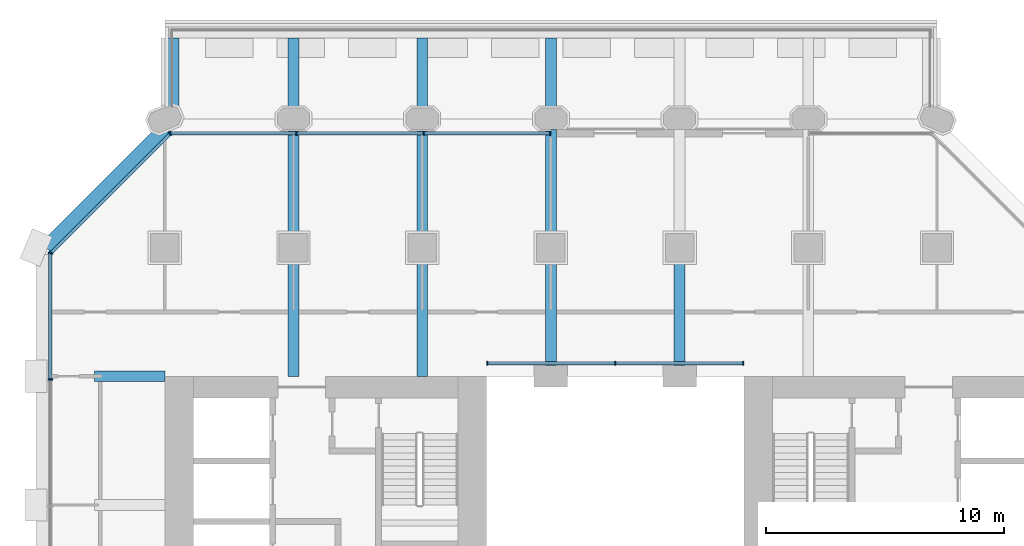
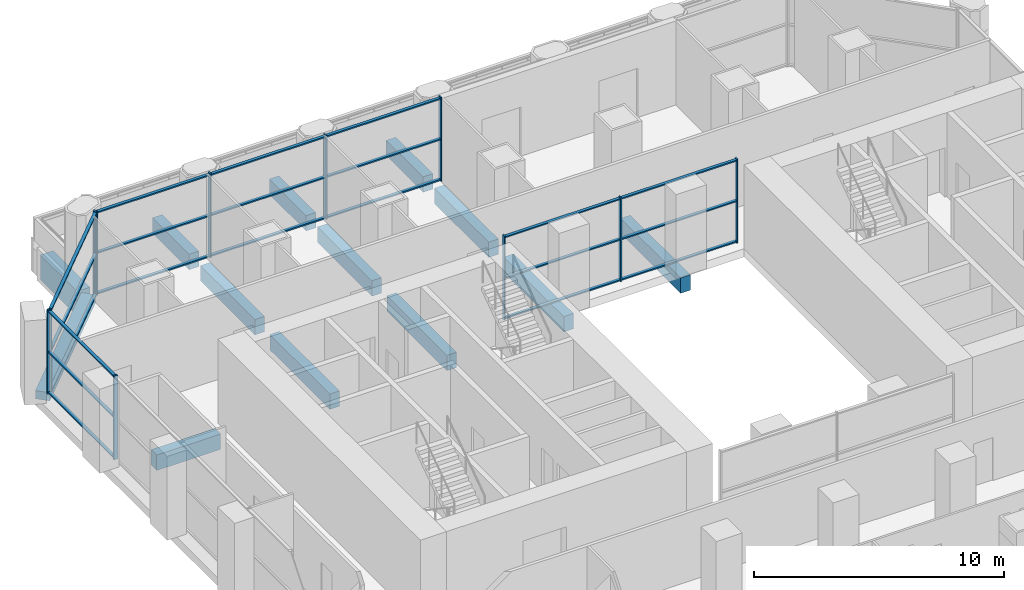
# One storey, part 7 of 23: 32 members, 13 beams, 4 elements without a shape of their own.
"""IFC4 building model written with IfcOpenShell, lengths in metres."""

from ifc_helpers import new_model, si_unit, direction, frame, origin, origin_2d, place, context, subcontext, project, spatial, rectangle, extrude, material, material_profile, profile_set, type_object, element, aggregate, save


model = new_model("IFC4")

# Units and contexts
model_context = context("Model", 3, precision=1e-05, world=origin(), true_north=direction((0.0, 1.0)))
body_context = subcontext(model_context, "Body", "Model", "MODEL_VIEW")
ifc_project = project(units=[si_unit("LENGTHUNIT", "METRE"), si_unit("AREAUNIT", "SQUARE_METRE"), si_unit("VOLUMEUNIT", "CUBIC_METRE"), si_unit("PLANEANGLEUNIT", "RADIAN"), si_unit("MASSUNIT", "GRAM", prefix="KILO")], contexts=[model_context])

# Site, building, storey
site_placement = place(None, origin())
site = spatial("IfcSite", under=ifc_project, at=site_placement, CompositionType="ELEMENT")
building_placement = place(site_placement, origin())
building = spatial("IfcBuilding", under=site, at=building_placement, Name="Tabaq Tower and Sports Hall", CompositionType="ELEMENT")
storey_placement = place(building_placement, frame((0.0, 0.0, 24.60009765625)))
storey = spatial("IfcBuildingStorey", under=building, at=storey_placement, Name="L04", CompositionType="ELEMENT", Elevation=24.60009765625)

# Curtain wall, members
ifc_material_1 = material(Name="Aluminium alloy 6063-T6 framed glazing", Category="aluminium")
curtain_wall_type_1 = type_object("IfcCurtainWallType", Name="CW1 curtain wall", PredefinedType="USERDEFINED", material=ifc_material_1)
curtain_wall_1_placement = place(storey_placement, origin())
curtain_wall_1 = element("IfcCurtainWall", 1, at=curtain_wall_1_placement, inside=storey, type_object=curtain_wall_type_1, Name="Atrium glazing L04 N", ObjectType="ATRIUM ENCLOSURE", PredefinedType="USERDEFINED")
ifc_material_2 = material(Name="Aluminium alloy 6063-T6", Category="aluminium")
ifc_material_profile_1 = material_profile(ifc_material_2, rectangle(XDim=0.159912109375, YDim=0.06005859375, at=origin_2d()), Name="MULLION 160x60")
ifc_profile_set_1 = profile_set([ifc_material_profile_1], Name="Aluminium alloy 6063-T6")
member_type_1 = type_object("IfcMemberType", Name="CW1 mullion 160x60", PredefinedType="MULLION", material=ifc_profile_set_1)
member_1_placement = place(storey_placement, frame((18.929931640625, 32.949951171875, 0.0), z_axis=(0.0, 0.0, 1.0), x_axis=(0.0, 1.0, 0.0)))
member_1 = element("IfcMember", 2, at=member_1_placement, type_object=member_type_1, Name="CW1 mullion 1", PredefinedType="MULLION", context=body_context, shape_type="SweptSolid", body=[
    extrude(rectangle(XDim=0.159912109375, YDim=0.06005859375, at=origin_2d()), origin(), (0.0, 0.0, 1.0), 4.099853515625),
])
member_2_placement = place(storey_placement, frame((24.300048828125, 32.949951171875, 0.0), z_axis=(0.0, 0.0, 1.0), x_axis=(0.0, 1.0, 0.0)))
member_2 = element("IfcMember", 3, at=member_2_placement, type_object=member_type_1, Name="CW1 mullion 2", PredefinedType="MULLION", context=body_context, shape_type="SweptSolid", body=[
    extrude(rectangle(XDim=0.159912109375, YDim=0.06005859375, at=origin_2d()), origin(), (0.0, 0.0, 1.0), 4.099853515625),
])
member_3_placement = place(storey_placement, frame((29.669921875, 32.949951171875, 0.0), z_axis=(0.0, 0.0, 1.0), x_axis=(0.0, 1.0, 0.0)))
member_3 = element("IfcMember", 4, at=member_3_placement, type_object=member_type_1, Name="CW1 mullion 3", PredefinedType="MULLION", context=body_context, shape_type="SweptSolid", body=[
    extrude(rectangle(XDim=0.159912109375, YDim=0.06005859375, at=origin_2d()), origin(), (0.0, 0.0, 1.0), 4.099853515625),
])
ifc_material_3 = material(Name="Aluminium alloy 6063-T6", Category="aluminium")
ifc_material_profile_2 = material_profile(ifc_material_3, rectangle(XDim=0.139892578125, YDim=0.06005859375, at=origin_2d()), Name="TRANSOM 140x60")
ifc_profile_set_2 = profile_set([ifc_material_profile_2], Name="Aluminium alloy 6063-T6")
member_type_2 = type_object("IfcMemberType", Name="CW1 transom 140x60", PredefinedType="USERDEFINED", material=ifc_profile_set_2)
member_4_placement = place(storey_placement, frame((18.9599609375, 32.949951171875, 0.06982421875), z_axis=(1.0, 0.0, 0.0), x_axis=(0.0, 1.0, 0.0)))
member_4 = element("IfcMember", 5, at=member_4_placement, type_object=member_type_2, Name="CW1 transom 1.1", ObjectType="TRANSOM", PredefinedType="USERDEFINED", context=body_context, shape_type="SweptSolid", body=[
    extrude(rectangle(XDim=0.139892578125, YDim=0.06005859375, at=origin_2d()), origin(), (0.0, 0.0, 1.0), 5.31005859375),
])
member_5_placement = place(storey_placement, frame((18.9599609375, 32.949951171875, 2.0498046875), z_axis=(1.0, 0.0, 0.0), x_axis=(0.0, 1.0, 0.0)))
member_5 = element("IfcMember", 6, at=member_5_placement, type_object=member_type_2, Name="CW1 transom 1.2", ObjectType="TRANSOM", PredefinedType="USERDEFINED", context=body_context, shape_type="SweptSolid", body=[
    extrude(rectangle(XDim=0.139892578125, YDim=0.06005859375, at=origin_2d()), origin(), (0.0, 0.0, 1.0), 5.31005859375),
])
member_6_placement = place(storey_placement, frame((18.9599609375, 32.949951171875, 4.02978515625), z_axis=(1.0, 0.0, 0.0), x_axis=(0.0, 1.0, 0.0)))
member_6 = element("IfcMember", 7, at=member_6_placement, type_object=member_type_2, Name="CW1 transom 1.3", ObjectType="TRANSOM", PredefinedType="USERDEFINED", context=body_context, shape_type="SweptSolid", body=[
    extrude(rectangle(XDim=0.139892578125, YDim=0.06005859375, at=origin_2d()), origin(), (0.0, 0.0, 1.0), 5.31005859375),
])
member_7_placement = place(storey_placement, frame((24.330078125, 32.949951171875, 0.06982421875), z_axis=(1.0, 0.0, 0.0), x_axis=(0.0, 1.0, 0.0)))
member_7 = element("IfcMember", 8, at=member_7_placement, type_object=member_type_2, Name="CW1 transom 2.1", ObjectType="TRANSOM", PredefinedType="USERDEFINED", context=body_context, shape_type="SweptSolid", body=[
    extrude(rectangle(XDim=0.139892578125, YDim=0.06005859375, at=origin_2d()), origin(), (0.0, 0.0, 1.0), 5.309814453125),
])
member_8_placement = place(storey_placement, frame((24.330078125, 32.949951171875, 2.0498046875), z_axis=(1.0, 0.0, 0.0), x_axis=(0.0, 1.0, 0.0)))
member_8 = element("IfcMember", 9, at=member_8_placement, type_object=member_type_2, Name="CW1 transom 2.2", ObjectType="TRANSOM", PredefinedType="USERDEFINED", context=body_context, shape_type="SweptSolid", body=[
    extrude(rectangle(XDim=0.139892578125, YDim=0.06005859375, at=origin_2d()), origin(), (0.0, 0.0, 1.0), 5.309814453125),
])
member_9_placement = place(storey_placement, frame((24.330078125, 32.949951171875, 4.02978515625), z_axis=(1.0, 0.0, 0.0), x_axis=(0.0, 1.0, 0.0)))
member_9 = element("IfcMember", 10, at=member_9_placement, type_object=member_type_2, Name="CW1 transom 2.3", ObjectType="TRANSOM", PredefinedType="USERDEFINED", context=body_context, shape_type="SweptSolid", body=[
    extrude(rectangle(XDim=0.139892578125, YDim=0.06005859375, at=origin_2d()), origin(), (0.0, 0.0, 1.0), 5.309814453125),
])
aggregate(curtain_wall_1, [member_1, member_2, member_3, member_4, member_5, member_6, member_7, member_8, member_9])

ifc_material_4 = material(Name="Aluminium alloy 6063-T6 framed glazing", Category="aluminium")
curtain_wall_type_2 = type_object("IfcCurtainWallType", Name="CW7 curtain wall", PredefinedType="USERDEFINED", material=ifc_material_4)
curtain_wall_2_placement = place(storey_placement, origin())
curtain_wall_2 = element("IfcCurtainWall", 11, at=curtain_wall_2_placement, inside=storey, type_object=curtain_wall_type_2, Name="Podium Wall L04 N", ObjectType="PODIUM WALL", PredefinedType="USERDEFINED")
ifc_material_5 = material(Name="Aluminium alloy 6063-T6", Category="aluminium")
ifc_material_profile_3 = material_profile(ifc_material_5, rectangle(XDim=0.179931640625, YDim=0.06494140625, at=origin_2d()), Name="MULLION 180x65")
ifc_profile_set_3 = profile_set([ifc_material_profile_3], Name="Aluminium alloy 6063-T6")
member_type_3 = type_object("IfcMemberType", Name="CW7 mullion 180x65", PredefinedType="MULLION", material=ifc_profile_set_3)
member_10_placement = place(storey_placement, frame((21.5673828125, 42.60009765625, 0.0), z_axis=(0.0, 0.0, 1.0), x_axis=(0.0, -1.0, 0.0)))
member_10 = element("IfcMember", 12, at=member_10_placement, type_object=member_type_3, Name="CW7 mullion 1", PredefinedType="MULLION", context=body_context, shape_type="SweptSolid", body=[
    extrude(rectangle(XDim=0.179931640625, YDim=0.06494140625, at=origin_2d()), origin(), (0.0, 0.0, 1.0), 4.099853515625),
])
member_11_placement = place(storey_placement, frame((16.26220703125, 42.60009765625, 0.0), z_axis=(0.0, 0.0, 1.0), x_axis=(0.0, -1.0, 0.0)))
member_11 = element("IfcMember", 13, at=member_11_placement, type_object=member_type_3, Name="CW7 mullion 2", PredefinedType="MULLION", context=body_context, shape_type="SweptSolid", body=[
    extrude(rectangle(XDim=0.179931640625, YDim=0.06494140625, at=origin_2d()), origin(), (0.0, 0.0, 1.0), 4.099853515625),
])
member_12_placement = place(storey_placement, frame((10.92431640625, 42.60009765625, 0.0), z_axis=(0.0, 0.0, 1.0), x_axis=(0.0, -1.0, 0.0)))
member_12 = element("IfcMember", 14, at=member_12_placement, type_object=member_type_3, Name="CW7 mullion 3", PredefinedType="MULLION", context=body_context, shape_type="SweptSolid", body=[
    extrude(rectangle(XDim=0.179931640625, YDim=0.06494140625, at=origin_2d()), origin(), (0.0, 0.0, 1.0), 4.099853515625),
])
member_13_placement = place(storey_placement, frame((5.618896484375, 42.60009765625, 0.0), z_axis=(0.0, 0.0, 1.0), x_axis=(0.0, -1.0, 0.0)))
member_13 = element("IfcMember", 15, at=member_13_placement, type_object=member_type_3, Name="CW7 mullion 4", PredefinedType="MULLION", context=body_context, shape_type="SweptSolid", body=[
    extrude(rectangle(XDim=0.179931640625, YDim=0.06494140625, at=origin_2d()), origin(), (0.0, 0.0, 1.0), 4.099853515625),
])

curtain_wall_3_placement = place(storey_placement, origin())
curtain_wall_3 = element("IfcCurtainWall", 16, at=curtain_wall_3_placement, inside=storey, type_object=curtain_wall_type_2, Name="Podium Wall L04 NW", ObjectType="PODIUM WALL", PredefinedType="USERDEFINED")
member_14_placement = place(storey_placement, frame((5.62548828125, 42.576904296875, 0.0), z_axis=(0.0, 0.0, 1.0), x_axis=(0.707106781187, -0.707106781187, 0.0)))
member_14 = element("IfcMember", 17, at=member_14_placement, type_object=member_type_3, Name="CW7 mullion 1", PredefinedType="MULLION", context=body_context, shape_type="SweptSolid", body=[
    extrude(rectangle(XDim=0.179931640625, YDim=0.06494140625, at=origin_2d()), origin(), (0.0, 0.0, 1.0), 4.099853515625),
])
member_15_placement = place(storey_placement, frame((0.623046875, 37.574462890625, 0.0), z_axis=(0.0, 0.0, 1.0), x_axis=(0.707106781187, -0.707106781187, 0.0)))
member_15 = element("IfcMember", 18, at=member_15_placement, type_object=member_type_3, Name="CW7 mullion 2", PredefinedType="MULLION", context=body_context, shape_type="SweptSolid", body=[
    extrude(rectangle(XDim=0.179931640625, YDim=0.06494140625, at=origin_2d()), origin(), (0.0, 0.0, 1.0), 4.099853515625),
])

curtain_wall_4_placement = place(storey_placement, origin())
curtain_wall_4 = element("IfcCurtainWall", 19, at=curtain_wall_4_placement, inside=storey, type_object=curtain_wall_type_2, Name="Podium Wall L04 W", ObjectType="PODIUM WALL", PredefinedType="USERDEFINED")
member_16_placement = place(storey_placement, frame((0.60009765625, 37.5810546875, 0.0), z_axis=(0.0, 0.0, 1.0), x_axis=(1.0, 0.0, 0.0)))
member_16 = element("IfcMember", 20, at=member_16_placement, type_object=member_type_3, Name="CW7 mullion 1", PredefinedType="MULLION", context=body_context, shape_type="SweptSolid", body=[
    extrude(rectangle(XDim=0.179931640625, YDim=0.06494140625, at=origin_2d()), origin(), (0.0, 0.0, 1.0), 4.099853515625),
])
member_17_placement = place(storey_placement, frame((0.60009765625, 32.275634765625, 0.0), z_axis=(0.0, 0.0, 1.0), x_axis=(1.0, 0.0, 0.0)))
member_17 = element("IfcMember", 21, at=member_17_placement, type_object=member_type_3, Name="CW7 mullion 2", PredefinedType="MULLION", context=body_context, shape_type="SweptSolid", body=[
    extrude(rectangle(XDim=0.179931640625, YDim=0.06494140625, at=origin_2d()), origin(), (0.0, 0.0, 1.0), 4.099853515625),
])

# Member
ifc_material_6 = material(Name="Aluminium alloy 6063-T6", Category="aluminium")
ifc_material_profile_4 = material_profile(ifc_material_6, rectangle(XDim=0.139892578125, YDim=0.06494140625, at=origin_2d()), Name="TRANSOM 140x65")
ifc_profile_set_4 = profile_set([ifc_material_profile_4], Name="Aluminium alloy 6063-T6")
member_type_4 = type_object("IfcMemberType", Name="CW7 transom 140x65", PredefinedType="USERDEFINED", material=ifc_profile_set_4)
member_18_placement = place(storey_placement, frame((21.534912109375, 42.60009765625, 0.06982421875), z_axis=(-1.0, 0.0, 0.0), x_axis=(0.0, -1.0, 0.0)))
member_18 = element("IfcMember", 22, at=member_18_placement, type_object=member_type_4, Name="CW7 transom 1.1", ObjectType="TRANSOM", PredefinedType="USERDEFINED", context=body_context, shape_type="SweptSolid", body=[
    extrude(rectangle(XDim=0.139892578125, YDim=0.06494140625, at=origin_2d()), origin(), (0.0, 0.0, 1.0), 5.240234375),
])

member_19_placement = place(storey_placement, frame((21.534912109375, 42.60009765625, 2.0498046875), z_axis=(-1.0, 0.0, 0.0), x_axis=(0.0, -1.0, 0.0)))
member_19 = element("IfcMember", 23, at=member_19_placement, type_object=member_type_4, Name="CW7 transom 1.2", ObjectType="TRANSOM", PredefinedType="USERDEFINED", context=body_context, shape_type="SweptSolid", body=[
    extrude(rectangle(XDim=0.139892578125, YDim=0.06494140625, at=origin_2d()), origin(), (0.0, 0.0, 1.0), 5.240234375),
])

member_20_placement = place(storey_placement, frame((21.534912109375, 42.60009765625, 4.02978515625), z_axis=(-1.0, 0.0, 0.0), x_axis=(0.0, -1.0, 0.0)))
member_20 = element("IfcMember", 24, at=member_20_placement, type_object=member_type_4, Name="CW7 transom 1.3", ObjectType="TRANSOM", PredefinedType="USERDEFINED", context=body_context, shape_type="SweptSolid", body=[
    extrude(rectangle(XDim=0.139892578125, YDim=0.06494140625, at=origin_2d()), origin(), (0.0, 0.0, 1.0), 5.240234375),
])

member_21_placement = place(storey_placement, frame((16.229736328125, 42.60009765625, 0.06982421875), z_axis=(-1.0, 0.0, 0.0), x_axis=(0.0, -1.0, 0.0)))
member_21 = element("IfcMember", 25, at=member_21_placement, type_object=member_type_4, Name="CW7 transom 2.1", ObjectType="TRANSOM", PredefinedType="USERDEFINED", context=body_context, shape_type="SweptSolid", body=[
    extrude(rectangle(XDim=0.139892578125, YDim=0.06494140625, at=origin_2d()), origin(), (0.0, 0.0, 1.0), 5.27294921875),
])

member_22_placement = place(storey_placement, frame((16.229736328125, 42.60009765625, 2.0498046875), z_axis=(-1.0, 0.0, 0.0), x_axis=(0.0, -1.0, 0.0)))
member_22 = element("IfcMember", 26, at=member_22_placement, type_object=member_type_4, Name="CW7 transom 2.2", ObjectType="TRANSOM", PredefinedType="USERDEFINED", context=body_context, shape_type="SweptSolid", body=[
    extrude(rectangle(XDim=0.139892578125, YDim=0.06494140625, at=origin_2d()), origin(), (0.0, 0.0, 1.0), 5.27294921875),
])

member_23_placement = place(storey_placement, frame((16.229736328125, 42.60009765625, 4.02978515625), z_axis=(-1.0, 0.0, 0.0), x_axis=(0.0, -1.0, 0.0)))
member_23 = element("IfcMember", 27, at=member_23_placement, type_object=member_type_4, Name="CW7 transom 2.3", ObjectType="TRANSOM", PredefinedType="USERDEFINED", context=body_context, shape_type="SweptSolid", body=[
    extrude(rectangle(XDim=0.139892578125, YDim=0.06494140625, at=origin_2d()), origin(), (0.0, 0.0, 1.0), 5.27294921875),
])

member_24_placement = place(storey_placement, frame((10.891845703125, 42.60009765625, 0.06982421875), z_axis=(-1.0, 0.0, 0.0), x_axis=(0.0, -1.0, 0.0)))
member_24 = element("IfcMember", 28, at=member_24_placement, type_object=member_type_4, Name="CW7 transom 3.1", ObjectType="TRANSOM", PredefinedType="USERDEFINED", context=body_context, shape_type="SweptSolid", body=[
    extrude(rectangle(XDim=0.139892578125, YDim=0.06494140625, at=origin_2d()), origin(), (0.0, 0.0, 1.0), 5.240478515625),
])

member_25_placement = place(storey_placement, frame((10.891845703125, 42.60009765625, 2.0498046875), z_axis=(-1.0, 0.0, 0.0), x_axis=(0.0, -1.0, 0.0)))
member_25 = element("IfcMember", 29, at=member_25_placement, type_object=member_type_4, Name="CW7 transom 3.2", ObjectType="TRANSOM", PredefinedType="USERDEFINED", context=body_context, shape_type="SweptSolid", body=[
    extrude(rectangle(XDim=0.139892578125, YDim=0.06494140625, at=origin_2d()), origin(), (0.0, 0.0, 1.0), 5.240478515625),
])

member_26_placement = place(storey_placement, frame((10.891845703125, 42.60009765625, 4.02978515625), z_axis=(-1.0, 0.0, 0.0), x_axis=(0.0, -1.0, 0.0)))
member_26 = element("IfcMember", 30, at=member_26_placement, type_object=member_type_4, Name="CW7 transom 3.3", ObjectType="TRANSOM", PredefinedType="USERDEFINED", context=body_context, shape_type="SweptSolid", body=[
    extrude(rectangle(XDim=0.139892578125, YDim=0.06494140625, at=origin_2d()), origin(), (0.0, 0.0, 1.0), 5.240478515625),
])

aggregate(curtain_wall_2, [member_10, member_11, member_12, member_13, member_18, member_19, member_20, member_21, member_22, member_23, member_24, member_25, member_26])

member_27_placement = place(storey_placement, frame((5.6025390625, 42.553955078125, 0.06982421875), z_axis=(-0.707106781187, -0.707106781187, 0.0), x_axis=(0.707106781187, -0.707106781187, 0.0)))
member_27 = element("IfcMember", 31, at=member_27_placement, type_object=member_type_4, Name="CW7 transom 1.1", ObjectType="TRANSOM", PredefinedType="USERDEFINED", context=body_context, shape_type="SweptSolid", body=[
    extrude(rectangle(XDim=0.139892578125, YDim=0.06494140625, at=origin_2d()), origin(), (0.0, 0.0, 1.0), 7.009521484375),
])

member_28_placement = place(storey_placement, frame((5.6025390625, 42.553955078125, 2.0498046875), z_axis=(-0.707106781187, -0.707106781187, 0.0), x_axis=(0.707106781187, -0.707106781187, 0.0)))
member_28 = element("IfcMember", 32, at=member_28_placement, type_object=member_type_4, Name="CW7 transom 1.2", ObjectType="TRANSOM", PredefinedType="USERDEFINED", context=body_context, shape_type="SweptSolid", body=[
    extrude(rectangle(XDim=0.139892578125, YDim=0.06494140625, at=origin_2d()), origin(), (0.0, 0.0, 1.0), 7.009521484375),
])

member_29_placement = place(storey_placement, frame((5.6025390625, 42.553955078125, 4.02978515625), z_axis=(-0.707106781187, -0.707106781187, 0.0), x_axis=(0.707106781187, -0.707106781187, 0.0)))
member_29 = element("IfcMember", 33, at=member_29_placement, type_object=member_type_4, Name="CW7 transom 1.3", ObjectType="TRANSOM", PredefinedType="USERDEFINED", context=body_context, shape_type="SweptSolid", body=[
    extrude(rectangle(XDim=0.139892578125, YDim=0.06494140625, at=origin_2d()), origin(), (0.0, 0.0, 1.0), 7.009521484375),
])

aggregate(curtain_wall_3, [member_14, member_15, member_27, member_28, member_29])

member_30_placement = place(storey_placement, frame((0.60009765625, 37.548583984375, 0.06982421875), z_axis=(0.0, -1.0, 0.0), x_axis=(1.0, 0.0, 0.0)))
member_30 = element("IfcMember", 34, at=member_30_placement, type_object=member_type_4, Name="CW7 transom 1.1", ObjectType="TRANSOM", PredefinedType="USERDEFINED", context=body_context, shape_type="SweptSolid", body=[
    extrude(rectangle(XDim=0.139892578125, YDim=0.06494140625, at=origin_2d()), origin(), (0.0, 0.0, 1.0), 5.240234375),
])

member_31_placement = place(storey_placement, frame((0.60009765625, 37.548583984375, 2.0498046875), z_axis=(0.0, -1.0, 0.0), x_axis=(1.0, 0.0, 0.0)))
member_31 = element("IfcMember", 35, at=member_31_placement, type_object=member_type_4, Name="CW7 transom 1.2", ObjectType="TRANSOM", PredefinedType="USERDEFINED", context=body_context, shape_type="SweptSolid", body=[
    extrude(rectangle(XDim=0.139892578125, YDim=0.06494140625, at=origin_2d()), origin(), (0.0, 0.0, 1.0), 5.240234375),
])

member_32_placement = place(storey_placement, frame((0.60009765625, 37.548583984375, 4.02978515625), z_axis=(0.0, -1.0, 0.0), x_axis=(1.0, 0.0, 0.0)))
member_32 = element("IfcMember", 36, at=member_32_placement, type_object=member_type_4, Name="CW7 transom 1.3", ObjectType="TRANSOM", PredefinedType="USERDEFINED", context=body_context, shape_type="SweptSolid", body=[
    extrude(rectangle(XDim=0.139892578125, YDim=0.06494140625, at=origin_2d()), origin(), (0.0, 0.0, 1.0), 5.240234375),
])

aggregate(curtain_wall_4, [member_16, member_17, member_30, member_31, member_32])

# Beams
ifc_material_7 = material(Name="Concrete C40/50", Category="concrete")
ifc_material_profile_5 = material_profile(ifc_material_7, rectangle(XDim=0.60009765625, YDim=1.199951171875, at=origin_2d()), Name="EBT 600x1200")
ifc_profile_set_5 = profile_set([ifc_material_profile_5], Name="Concrete C40/50")
beam_type_1 = type_object("IfcBeamType", Name="Concrete C40/50 PT edge band EBT 600x1200", PredefinedType="BEAM", material=ifc_profile_set_5)
beam_1_placement = place(storey_placement, frame((5.699951171875, 43.64990234375, -1.0), z_axis=(0.0, 1.0, 0.0), x_axis=(-1.0, 0.0, 0.0)))
element("IfcBeam", 37, at=beam_1_placement, inside=storey, type_object=beam_type_1, Name="Tray edge band L04", PredefinedType="BEAM", context=body_context, shape_type="SweptSolid", body=[
    extrude(rectangle(XDim=0.60009765625, YDim=1.199951171875, at=origin_2d()), origin(), (0.0, 0.0, 1.0), 2.9501953125),
])
ifc_material_8 = material(Name="Concrete C40/50", Category="concrete")
ifc_material_profile_6 = material_profile(ifc_material_8, rectangle(XDim=0.449951171875, YDim=0.75, at=origin_2d()), Name="CB 450x750")
ifc_profile_set_6 = profile_set([ifc_material_profile_6], Name="Concrete C40/50")
beam_type_2 = type_object("IfcBeamType", Name="PT CANTILEVER BEAM CB 450x750 C40/50", PredefinedType="BEAM", material=ifc_profile_set_6)
beam_2_placement = place(storey_placement, frame((2.449951171875, 32.39990234375, -0.775146484375), z_axis=(1.0, 0.0, 0.0), x_axis=(0.0, 1.0, 0.0)))
element("IfcBeam", 38, at=beam_2_placement, inside=storey, type_object=beam_type_2, Name="Cantilever Beam L04 W6 span 1", PredefinedType="BEAM", context=body_context, shape_type="SweptSolid", body=[
    extrude(rectangle(XDim=0.449951171875, YDim=0.75, at=origin_2d()), origin(), (0.0, 0.0, 1.0), 2.949951171875),
])
beam_3_placement = place(storey_placement, frame((27.0, 37.199951171875, -0.775146484375), z_axis=(0.0, -1.0, 0.0), x_axis=(1.0, 0.0, 0.0)))
element("IfcBeam", 39, at=beam_3_placement, inside=storey, type_object=beam_type_2, Name="Tray Cantilever Beam L04 T2 span 3", PredefinedType="BEAM", context=body_context, shape_type="SweptSolid", body=[
    extrude(rectangle(XDim=0.449951171875, YDim=0.75, at=origin_2d()), origin(), (0.0, 0.0, 1.0), 4.800048828125),
])
beam_4_placement = place(storey_placement, frame((21.60009765625, 46.60009765625, -0.775146484375), z_axis=(0.0, -1.0, 0.0), x_axis=(1.0, 0.0, 0.0)))
element("IfcBeam", 40, at=beam_4_placement, inside=storey, type_object=beam_type_2, Name="Tray Cantilever Beam L04 T3 span 1", PredefinedType="BEAM", context=body_context, shape_type="SweptSolid", body=[
    extrude(rectangle(XDim=0.449951171875, YDim=0.75, at=origin_2d()), origin(), (0.0, 0.0, 1.0), 2.9501953125),
])
beam_5_placement = place(storey_placement, frame((21.60009765625, 42.75, -0.775146484375), z_axis=(0.0, -1.0, 0.0), x_axis=(1.0, 0.0, 0.0)))
element("IfcBeam", 41, at=beam_5_placement, inside=storey, type_object=beam_type_2, Name="Tray Cantilever Beam L04 T3 span 2", PredefinedType="BEAM", context=body_context, shape_type="SweptSolid", body=[
    extrude(rectangle(XDim=0.449951171875, YDim=0.75, at=origin_2d()), origin(), (0.0, 0.0, 1.0), 4.35009765625),
])
beam_6_placement = place(storey_placement, frame((21.60009765625, 37.199951171875, -0.775146484375), z_axis=(0.0, -1.0, 0.0), x_axis=(1.0, 0.0, 0.0)))
element("IfcBeam", 42, at=beam_6_placement, inside=storey, type_object=beam_type_2, Name="Tray Cantilever Beam L04 T3 span 3", PredefinedType="BEAM", context=body_context, shape_type="SweptSolid", body=[
    extrude(rectangle(XDim=0.449951171875, YDim=0.75, at=origin_2d()), origin(), (0.0, 0.0, 1.0), 4.800048828125),
])
beam_7_placement = place(storey_placement, frame((16.199951171875, 46.60009765625, -0.775146484375), z_axis=(0.0, -1.0, 0.0), x_axis=(1.0, 0.0, 0.0)))
element("IfcBeam", 43, at=beam_7_placement, inside=storey, type_object=beam_type_2, Name="Tray Cantilever Beam L04 T4 span 1", PredefinedType="BEAM", context=body_context, shape_type="SweptSolid", body=[
    extrude(rectangle(XDim=0.449951171875, YDim=0.75, at=origin_2d()), origin(), (0.0, 0.0, 1.0), 2.9501953125),
])
beam_8_placement = place(storey_placement, frame((16.199951171875, 42.75, -0.775146484375), z_axis=(0.0, -1.0, 0.0), x_axis=(1.0, 0.0, 0.0)))
element("IfcBeam", 44, at=beam_8_placement, inside=storey, type_object=beam_type_2, Name="Tray Cantilever Beam L04 T4 span 2", PredefinedType="BEAM", context=body_context, shape_type="SweptSolid", body=[
    extrude(rectangle(XDim=0.449951171875, YDim=0.75, at=origin_2d()), origin(), (0.0, 0.0, 1.0), 4.35009765625),
])
beam_9_placement = place(storey_placement, frame((16.199951171875, 37.199951171875, -0.775146484375), z_axis=(0.0, -1.0, 0.0), x_axis=(1.0, 0.0, 0.0)))
element("IfcBeam", 45, at=beam_9_placement, inside=storey, type_object=beam_type_2, Name="Tray Cantilever Beam L04 T4 span 3", PredefinedType="BEAM", context=body_context, shape_type="SweptSolid", body=[
    extrude(rectangle(XDim=0.449951171875, YDim=0.75, at=origin_2d()), origin(), (0.0, 0.0, 1.0), 4.800048828125),
])
beam_10_placement = place(storey_placement, frame((10.800048828125, 46.60009765625, -0.775146484375), z_axis=(0.0, -1.0, 0.0), x_axis=(1.0, 0.0, 0.0)))
element("IfcBeam", 46, at=beam_10_placement, inside=storey, type_object=beam_type_2, Name="Tray Cantilever Beam L04 T5 span 1", PredefinedType="BEAM", context=body_context, shape_type="SweptSolid", body=[
    extrude(rectangle(XDim=0.449951171875, YDim=0.75, at=origin_2d()), origin(), (0.0, 0.0, 1.0), 2.9501953125),
])
beam_11_placement = place(storey_placement, frame((10.800048828125, 42.75, -0.775146484375), z_axis=(0.0, -1.0, 0.0), x_axis=(1.0, 0.0, 0.0)))
element("IfcBeam", 47, at=beam_11_placement, inside=storey, type_object=beam_type_2, Name="Tray Cantilever Beam L04 T5 span 2", PredefinedType="BEAM", context=body_context, shape_type="SweptSolid", body=[
    extrude(rectangle(XDim=0.449951171875, YDim=0.75, at=origin_2d()), origin(), (0.0, 0.0, 1.0), 4.35009765625),
])
beam_12_placement = place(storey_placement, frame((10.800048828125, 37.199951171875, -0.775146484375), z_axis=(0.0, -1.0, 0.0), x_axis=(1.0, 0.0, 0.0)))
element("IfcBeam", 48, at=beam_12_placement, inside=storey, type_object=beam_type_2, Name="Tray Cantilever Beam L04 T5 span 3", PredefinedType="BEAM", context=body_context, shape_type="SweptSolid", body=[
    extrude(rectangle(XDim=0.449951171875, YDim=0.75, at=origin_2d()), origin(), (0.0, 0.0, 1.0), 4.800048828125),
])
ifc_material_9 = material(Name="Concrete C40/50", Category="concrete")
ifc_material_profile_7 = material_profile(ifc_material_9, rectangle(XDim=0.60009765625, YDim=0.39990234375, at=origin_2d()), Name="EB 600x400")
ifc_profile_set_7 = profile_set([ifc_material_profile_7], Name="Concrete C40/50")
beam_type_3 = type_object("IfcBeamType", Name="PT EDGE BEAM EB 600x400 C40/50", PredefinedType="SPANDREL", material=ifc_profile_set_7)
beam_13_placement = place(storey_placement, frame((5.435302734375, 42.81103515625, -0.2001953125), z_axis=(-0.707106781187, -0.707106781187, 0.0), x_axis=(0.707106781187, -0.707106781187, 0.0)))
element("IfcBeam", 49, at=beam_13_placement, inside=storey, type_object=beam_type_3, Name="Edge Beam L04 3", PredefinedType="SPANDREL", context=body_context, shape_type="SweptSolid", body=[
    extrude(rectangle(XDim=0.60009765625, YDim=0.39990234375, at=origin_2d()), origin(), (0.0, 0.0, 1.0), 7.087890625),
])

save(model, "model.ifc")
